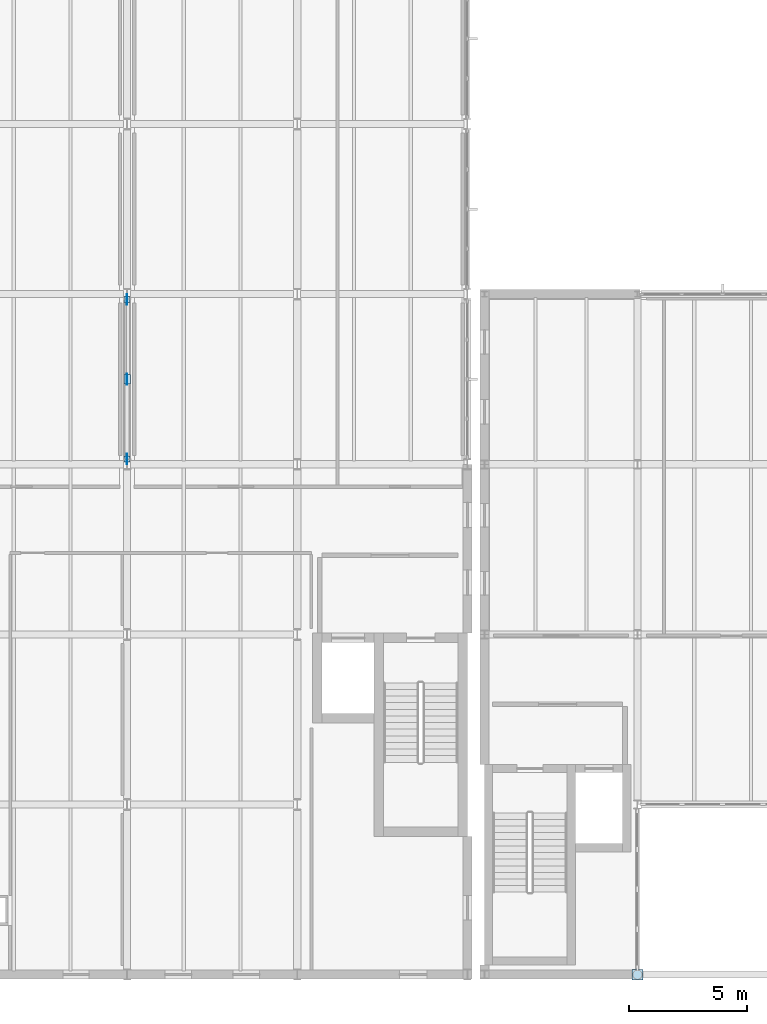
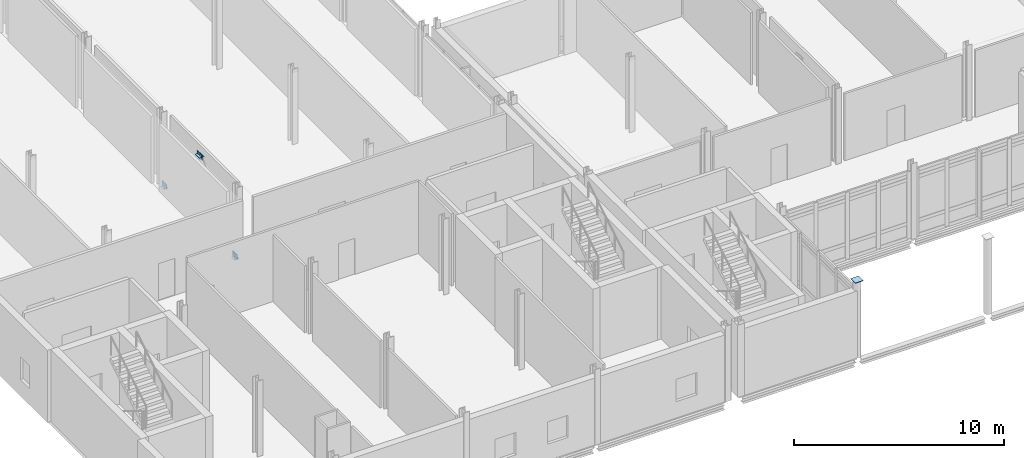
# One storey, part 41 of 72: 7 plates.
"""IFC4 building model written with IfcOpenShell, lengths in metres."""

from ifc_helpers import new_model, si_unit, direction, frame, origin, origin_2d, place, context, subcontext, project, spatial, rectangle, extrude, material, layer, layer_set, type_object, element, save


model = new_model("IFC4")

# Units and contexts
model_context = context("Model", 3, precision=1e-05, world=origin(), true_north=direction((0.0, 1.0)))
body_context = subcontext(model_context, "Body", "Model", "MODEL_VIEW")
ifc_project = project(units=[si_unit("LENGTHUNIT", "METRE"), si_unit("AREAUNIT", "SQUARE_METRE"), si_unit("VOLUMEUNIT", "CUBIC_METRE"), si_unit("PLANEANGLEUNIT", "RADIAN"), si_unit("MASSUNIT", "GRAM", prefix="KILO")], contexts=[model_context])

# Site, building, storey
site_placement = place(None, origin())
site = spatial("IfcSite", under=ifc_project, at=site_placement, CompositionType="ELEMENT")
building_placement = place(site_placement, origin())
building = spatial("IfcBuilding", under=site, at=building_placement, Name="Zarrinpeak Specialist Clinic", CompositionType="ELEMENT")
storey_placement = place(building_placement, frame((0.0, 0.0, 9.60009765625)))
storey = spatial("IfcBuildingStorey", under=building, at=storey_placement, Name="L02", CompositionType="ELEMENT", Elevation=9.60009765625)

# Plates
ifc_material = material(Name="Steel S355", Category="steel")
ifc_layer_1 = layer(ifc_material, 0.01611328125)
ifc_layer_set_1 = layer_set([ifc_layer_1], Name="Steel S355")
plate_type_1 = type_object("IfcPlateType", Name="PL-CAP219", PredefinedType="SHEET", material=ifc_layer_set_1)
for number, where, z_axis, x_axis, name in (
    (1, (14.39990234375, 21.824951171875, 0.000732421875), (0.0, 0.0, 1.0), (1.0, 0.0, 0.0), "V1 L02 Hollow Brace Foot Cap Plate A"),
    (2, (14.39990234375, 28.574951171875, 0.000732421875), (0.0, 0.0, 1.0), (1.0, 0.0, 0.0), "V1 L02 Hollow Brace Foot Cap Plate B"),
):
    element("IfcPlate", number, at=place(storey_placement, frame(where, z_axis=z_axis, x_axis=x_axis)), inside=storey, type_object=plate_type_1, Name=name, PredefinedType="SHEET", context=body_context, shape_type="SweptSolid", body=[
        extrude(rectangle(XDim=0.260009765625, YDim=0.260009765625, at=origin_2d()), origin(), (0.0, 0.0, 1.0), 0.01611328125),
    ])
ifc_layer_2 = layer(ifc_material, 0.02197265625)
ifc_layer_set_2 = layer_set([ifc_layer_2], Name="Steel S355")
plate_type_2 = type_object("IfcPlateType", Name="PL-CAP406", PredefinedType="SHEET", material=ifc_layer_set_2)
plate_1_placement = place(storey_placement, frame((36.0, 0.0, 4.39599609375), z_axis=(0.0, 0.0, 1.0), x_axis=(1.0, 0.0, 0.0)))
element("IfcPlate", 3, at=plate_1_placement, inside=storey, type_object=plate_type_2, Name="L02 Hollow Column Top Cap Plate CCAP-T-094", PredefinedType="SHEET", context=body_context, shape_type="SweptSolid", body=[
    extrude(rectangle(XDim=0.449951171875, YDim=0.449951171875, at=origin_2d()), origin(), (0.0, 0.0, 1.0), 0.02197265625),
])
ifc_layer_3 = layer(ifc_material, 0.02001953125)
ifc_layer_set_3 = layer_set([ifc_layer_3], Name="Steel S355")
plate_type_3 = type_object("IfcPlateType", Name="PL-GN01", PredefinedType="SHEET", material=ifc_layer_set_3)
plate_2_placement = place(storey_placement, frame((14.39990234375, 25.199951171875, 3.73974609375), z_axis=(0.0, 0.0, 1.0), x_axis=(1.0, 0.0, 0.0)))
element("IfcPlate", 4, at=plate_2_placement, inside=storey, type_object=plate_type_3, Name="V1 L02 Chevron Gusset Node Plate GN-V1-L02", PredefinedType="SHEET", context=body_context, shape_type="SweptSolid", body=[
    extrude(rectangle(XDim=0.02001953125, YDim=0.47998046875, at=origin_2d()), origin(), (0.0, 0.0, 1.0), 0.340087890625),
])
ifc_layer_4 = layer(ifc_material, 0.01611328125)
ifc_layer_set_4 = layer_set([ifc_layer_4], Name="Steel S355")
plate_type_4 = type_object("IfcPlateType", Name="PL-GN02", PredefinedType="SHEET", material=ifc_layer_set_4)
plate_3_placement = place(storey_placement, frame((14.39990234375, 25.199951171875, 3.907958984375), z_axis=(0.0, 0.0, 1.0), x_axis=(1.0, 0.0, 0.0)))
element("IfcPlate", 5, at=plate_3_placement, inside=storey, type_object=plate_type_4, Name="V1 L02 Chevron Apex Seal Plate GNCAP-V1-L02", PredefinedType="SHEET", context=body_context, shape_type="SweptSolid", body=[
    extrude(rectangle(XDim=0.280029296875, YDim=0.39990234375, at=origin_2d()), origin(), (0.0, 0.0, 1.0), 0.01611328125),
])
ifc_layer_5 = layer(ifc_material, 0.01806640625)
ifc_layer_set_5 = layer_set([ifc_layer_5], Name="Steel S355")
plate_type_5 = type_object("IfcPlateType", Name="PL-GN03", PredefinedType="SHEET", material=ifc_layer_set_5)
for number, where, z_axis, x_axis, name in (
    (6, (14.39990234375, 21.824951171875, 0.0048828125), (0.0, 0.0, 1.0), (1.0, 0.0, 0.0), "V1 L02 Brace Foot Gusset Plate GNF-V1-L02-A"),
    (7, (14.39990234375, 28.574951171875, 0.0048828125), (0.0, 0.0, 1.0), (1.0, 0.0, 0.0), "V1 L02 Brace Foot Gusset Plate GNF-V1-L02-B"),
):
    element("IfcPlate", number, at=place(storey_placement, frame(where, z_axis=z_axis, x_axis=x_axis)), inside=storey, type_object=plate_type_5, Name=name, PredefinedType="SHEET", context=body_context, shape_type="SweptSolid", body=[
        extrude(rectangle(XDim=0.01806640625, YDim=0.43994140625, at=origin_2d()), origin(), (0.0, 0.0, 1.0), 0.31005859375),
    ])

save(model, "model.ifc")
